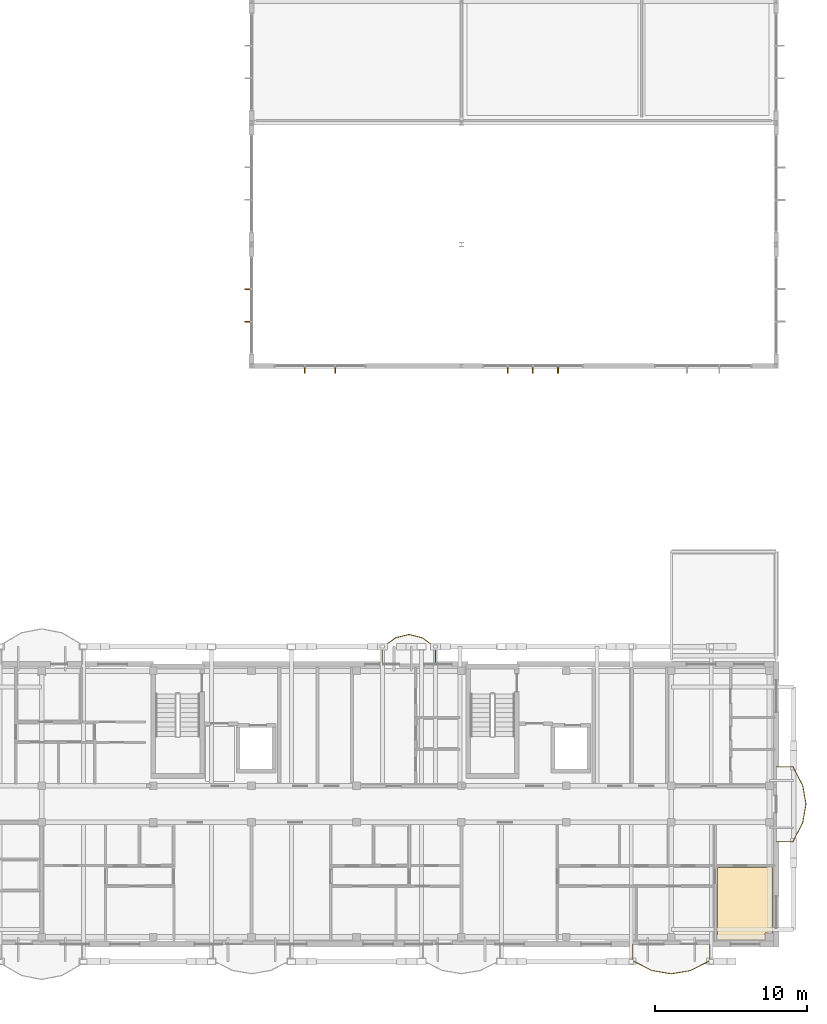
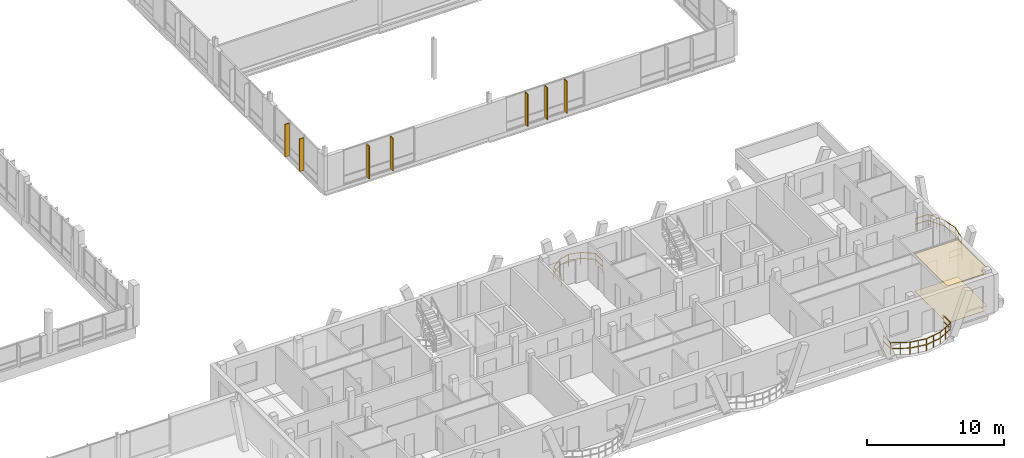
# One storey, part 186 of 189: 7 shading devices, 3 railings, 2 coverings.
"""IFC4 building model written with IfcOpenShell, lengths in metres."""

from ifc_helpers import new_model, si_unit, direction, frame, origin, origin_2d, place, context, subcontext, project, spatial, polyline, rectangle, outline, extrude, material, layer, layer_set, type_object, element, save


model = new_model("IFC4")

# Units and contexts
model_context = context("Model", 3, precision=1e-05, world=origin(), true_north=direction((0.0, 1.0)))
body_context = subcontext(model_context, "Body", "Model", "MODEL_VIEW")
ifc_project = project(units=[si_unit("LENGTHUNIT", "METRE"), si_unit("AREAUNIT", "SQUARE_METRE"), si_unit("VOLUMEUNIT", "CUBIC_METRE"), si_unit("PLANEANGLEUNIT", "RADIAN"), si_unit("MASSUNIT", "GRAM", prefix="KILO")], contexts=[model_context])

# Site, building, storey
site_placement = place(None, origin())
site = spatial("IfcSite", under=ifc_project, at=site_placement, CompositionType="ELEMENT")
building_placement = place(site_placement, origin())
building = spatial("IfcBuilding", under=site, at=building_placement, Name="Zavelmont Quarter", CompositionType="ELEMENT")
storey_placement = place(building_placement, frame((0.0, 0.0, 4.39990234375)))
storey = spatial("IfcBuildingStorey", under=building, at=storey_placement, Name="L01", CompositionType="ELEMENT", Elevation=4.39990234375)

# Coverings
ifc_material_1 = material(Name="Perforated acoustic gypsum board")
ifc_layer_1 = layer(ifc_material_1, 0.02490234375)
ifc_layer_set_1 = layer_set([ifc_layer_1], Name="Perforated acoustic gypsum board")
covering_type_1 = type_object("IfcCoveringType", Name="CV-CL01", PredefinedType="CEILING", material=ifc_layer_set_1)
covering_1_placement = place(storey_placement, frame((0.0, 0.0, 3.30517578125)))
element("IfcCovering", 1, at=covering_1_placement, inside=storey, type_object=covering_type_1, Name="L01 Master Bedroom acoustic ceiling", PredefinedType="CEILING", context=body_context, shape_type="SweptSolid", body=[
    extrude(outline(polyline([(164.1298828125, 5.02001953125), (167.77001953125, 5.02001953125), (167.77001953125, 0.72998046875), (167.27001953125, 0.72998046875), (167.27001953125, 0.280029296875), (164.1298828125, 0.280029296875), (164.1298828125, 5.02001953125)])), origin(), (0.0, 0.0, 1.0), 0.02490234375),
])
ifc_material_2 = material(Name="Engineered European oak parquet")
ifc_layer_2 = layer(ifc_material_2, 0.02197265625)
ifc_layer_set_2 = layer_set([ifc_layer_2], Name="Engineered European oak parquet")
covering_type_2 = type_object("IfcCoveringType", Name="CV-FL01", PredefinedType="FLOORING", material=ifc_layer_set_2)
covering_2_placement = place(storey_placement, origin())
element("IfcCovering", 2, at=covering_2_placement, inside=storey, type_object=covering_type_2, Name="L01 Master Bedroom floor finish", PredefinedType="FLOORING", context=body_context, shape_type="SweptSolid", body=[
    extrude(outline(polyline([(164.1298828125, 5.02001953125), (167.77001953125, 5.02001953125), (167.77001953125, 0.72998046875), (167.27001953125, 0.72998046875), (167.27001953125, 0.280029296875), (164.1298828125, 0.280029296875), (164.1298828125, 5.02001953125)])), origin(), (0.0, 0.0, 1.0), 0.022216796875),
])

# Railings
ifc_material_3 = material(Name="Powder-coated steel and tempered double safety glass", Category="steel")
railing_type = type_object("IfcRailingType", Name="RL-BAL1", PredefinedType="BALUSTRADE", material=ifc_material_3)
railing_1_placement = place(storey_placement, frame((158.5673828125, -0.02001953125, 0.0)))
element("IfcRailing", 3, at=railing_1_placement, inside=storey, type_object=railing_type, Name="L01 Block D curved balcony guard RL-BAL1", PredefinedType="BALUSTRADE", context=body_context, shape_type="SweptSolid", body=[
    extrude(rectangle(XDim=0.048095703125, YDim=0.048095703125, at=origin_2d()), frame((0.0, 0.0, 1.076171875), z_axis=(0.0, -1.0, 0.0), x_axis=(1.0, 0.0, 0.0)), (0.0, 0.0, 1.0), 1.080322265625),
    extrude(rectangle(XDim=0.048095703125, YDim=0.048095703125, at=origin_2d()), frame((0.0, 0.0, 0.550048828125), z_axis=(0.0, -1.0, 0.0), x_axis=(1.0, 0.0, 0.0)), (0.0, 0.0, 1.0), 1.080322265625),
    extrude(rectangle(XDim=0.048095703125, YDim=0.048095703125, at=origin_2d()), frame((0.0, -1.080322265625, 1.076171875), z_axis=(0.890096003813, -0.455773083888, 0.0), x_axis=(0.455773083888, 0.890096003813, 0.0)), (0.0, 0.0, 1.0), 1.422607421875),
    extrude(rectangle(XDim=0.048095703125, YDim=0.048095703125, at=origin_2d()), frame((0.0, -1.080322265625, 0.550048828125), z_axis=(0.890096003813, -0.455773083888, 0.0), x_axis=(0.455773083888, 0.890096003813, 0.0)), (0.0, 0.0, 1.0), 1.422607421875),
    extrude(rectangle(XDim=0.048095703125, YDim=0.048095703125, at=origin_2d()), frame((1.266357421875, -1.728759765625, 1.076171875), z_axis=(0.985723350609, -0.168373026535, 0.0), x_axis=(0.168373026535, 0.985723350609, 0.0)), (0.0, 0.0, 1.0), 1.28466796875),
    extrude(rectangle(XDim=0.048095703125, YDim=0.048095703125, at=origin_2d()), frame((1.266357421875, -1.728759765625, 0.550048828125), z_axis=(0.985723350609, -0.168373026535, 0.0), x_axis=(0.168373026535, 0.985723350609, 0.0)), (0.0, 0.0, 1.0), 1.28466796875),
    extrude(rectangle(XDim=0.048095703125, YDim=0.048095703125, at=origin_2d()), frame((2.53271484375, -1.945068359375, 1.076171875), z_axis=(0.985717961637, 0.168404572698, 0.0), x_axis=(-0.168404572698, 0.985717961637, 0.0)), (0.0, 0.0, 1.0), 1.284423828125),
    extrude(rectangle(XDim=0.048095703125, YDim=0.048095703125, at=origin_2d()), frame((2.53271484375, -1.945068359375, 0.550048828125), z_axis=(0.985717961637, 0.168404572698, 0.0), x_axis=(-0.168404572698, 0.985717961637, 0.0)), (0.0, 0.0, 1.0), 1.284423828125),
    extrude(rectangle(XDim=0.048095703125, YDim=0.048095703125, at=origin_2d()), frame((3.798828125, -1.728759765625, 1.076171875), z_axis=(0.890096003813, 0.455773083888, 0.0), x_axis=(-0.455773083888, 0.890096003813, 0.0)), (0.0, 0.0, 1.0), 1.422607421875),
    extrude(rectangle(XDim=0.048095703125, YDim=0.048095703125, at=origin_2d()), frame((3.798828125, -1.728759765625, 0.550048828125), z_axis=(0.890096003813, 0.455773083888, 0.0), x_axis=(-0.455773083888, 0.890096003813, 0.0)), (0.0, 0.0, 1.0), 1.422607421875),
    extrude(rectangle(XDim=0.048095703125, YDim=0.048095703125, at=origin_2d()), frame((5.065185546875, -1.080322265625, 1.076171875), z_axis=(0.0, 1.0, 0.0), x_axis=(-1.0, 0.0, 0.0)), (0.0, 0.0, 1.0), 1.080322265625),
    extrude(rectangle(XDim=0.048095703125, YDim=0.048095703125, at=origin_2d()), frame((5.065185546875, -1.080322265625, 0.550048828125), z_axis=(0.0, 1.0, 0.0), x_axis=(-1.0, 0.0, 0.0)), (0.0, 0.0, 1.0), 1.080322265625),
    extrude(rectangle(XDim=0.0419921875, YDim=0.0419921875, at=origin_2d()), origin(), (0.0, 0.0, 1.0), 1.052001953125),
    extrude(rectangle(XDim=0.0419921875, YDim=0.0419921875, at=origin_2d()), frame((0.0, -1.080322265625, 0.0)), (0.0, 0.0, 1.0), 1.052001953125),
    extrude(rectangle(XDim=0.0419921875, YDim=0.0419921875, at=origin_2d()), frame((0.63330078125, -1.404541015625, 0.0)), (0.0, 0.0, 1.0), 1.052001953125),
    extrude(rectangle(XDim=0.0419921875, YDim=0.0419921875, at=origin_2d()), frame((1.266357421875, -1.728759765625, 0.0)), (0.0, 0.0, 1.0), 1.052001953125),
    extrude(rectangle(XDim=0.0419921875, YDim=0.0419921875, at=origin_2d()), frame((1.8994140625, -1.8369140625, 0.0)), (0.0, 0.0, 1.0), 1.052001953125),
    extrude(rectangle(XDim=0.0419921875, YDim=0.0419921875, at=origin_2d()), frame((2.53271484375, -1.945068359375, 0.0)), (0.0, 0.0, 1.0), 1.052001953125),
    extrude(rectangle(XDim=0.0419921875, YDim=0.0419921875, at=origin_2d()), frame((3.165771484375, -1.8369140625, 0.0)), (0.0, 0.0, 1.0), 1.052001953125),
    extrude(rectangle(XDim=0.0419921875, YDim=0.0419921875, at=origin_2d()), frame((3.798828125, -1.728759765625, 0.0)), (0.0, 0.0, 1.0), 1.052001953125),
    extrude(rectangle(XDim=0.0419921875, YDim=0.0419921875, at=origin_2d()), frame((4.43212890625, -1.404541015625, 0.0)), (0.0, 0.0, 1.0), 1.052001953125),
    extrude(rectangle(XDim=0.0419921875, YDim=0.0419921875, at=origin_2d()), frame((5.065185546875, -1.080322265625, 0.0)), (0.0, 0.0, 1.0), 1.052001953125),
    extrude(rectangle(XDim=0.0419921875, YDim=0.0419921875, at=origin_2d()), frame((5.065185546875, 0.0, 0.0)), (0.0, 0.0, 1.0), 1.052001953125),
])
railing_2_placement = place(storey_placement, frame((168.02001953125, 6.732666015625, 0.0)))
element("IfcRailing", 4, at=railing_2_placement, inside=storey, type_object=railing_type, Name="L01 Block D curved balcony guard RL-BAL1", PredefinedType="BALUSTRADE", context=body_context, shape_type="SweptSolid", body=[
    extrude(rectangle(XDim=0.048095703125, YDim=0.048095703125, at=origin_2d()), frame((0.0, 0.0, 1.076171875), z_axis=(1.0, 0.0, 0.0), x_axis=(0.0, 1.0, 0.0)), (0.0, 0.0, 1.0), 1.080322265625),
    extrude(rectangle(XDim=0.048095703125, YDim=0.048095703125, at=origin_2d()), frame((0.0, 0.0, 0.550048828125), z_axis=(1.0, 0.0, 0.0), x_axis=(0.0, 1.0, 0.0)), (0.0, 0.0, 1.0), 1.080322265625),
    extrude(rectangle(XDim=0.048095703125, YDim=0.048095703125, at=origin_2d()), frame((1.080322265625, 0.0, 1.076171875), z_axis=(0.465269853733, 0.885168889652, 0.0), x_axis=(-0.885168889652, 0.465269853733, 0.0)), (0.0, 0.0, 1.0), 1.393798828125),
    extrude(rectangle(XDim=0.048095703125, YDim=0.048095703125, at=origin_2d()), frame((1.080322265625, 0.0, 0.550048828125), z_axis=(0.465269853733, 0.885168889652, 0.0), x_axis=(-0.885168889652, 0.465269853733, 0.0)), (0.0, 0.0, 1.0), 1.393798828125),
    extrude(rectangle(XDim=0.048095703125, YDim=0.048095703125, at=origin_2d()), frame((1.728759765625, 1.233642578125, 1.076171875), z_axis=(0.172706582118, 0.984973317655, 0.0), x_axis=(-0.984973317655, 0.172706582118, 0.0)), (0.0, 0.0, 1.0), 1.25244140625),
    extrude(rectangle(XDim=0.048095703125, YDim=0.048095703125, at=origin_2d()), frame((1.728759765625, 1.233642578125, 0.550048828125), z_axis=(0.172706582118, 0.984973317655, 0.0), x_axis=(-0.984973317655, 0.172706582118, 0.0)), (0.0, 0.0, 1.0), 1.25244140625),
    extrude(rectangle(XDim=0.048095703125, YDim=0.048095703125, at=origin_2d()), frame((1.945068359375, 2.46728515625, 1.076171875), z_axis=(-0.172706582118, 0.984973317655, 0.0), x_axis=(-0.984973317655, -0.172706582118, 0.0)), (0.0, 0.0, 1.0), 1.25244140625),
    extrude(rectangle(XDim=0.048095703125, YDim=0.048095703125, at=origin_2d()), frame((1.945068359375, 2.46728515625, 0.550048828125), z_axis=(-0.172706582118, 0.984973317655, 0.0), x_axis=(-0.984973317655, -0.172706582118, 0.0)), (0.0, 0.0, 1.0), 1.25244140625),
    extrude(rectangle(XDim=0.048095703125, YDim=0.048095703125, at=origin_2d()), frame((1.728759765625, 3.700927734375, 1.076171875), z_axis=(-0.465269853733, 0.885168889652, 0.0), x_axis=(-0.885168889652, -0.465269853733, 0.0)), (0.0, 0.0, 1.0), 1.393798828125),
    extrude(rectangle(XDim=0.048095703125, YDim=0.048095703125, at=origin_2d()), frame((1.728759765625, 3.700927734375, 0.550048828125), z_axis=(-0.465269853733, 0.885168889652, 0.0), x_axis=(-0.885168889652, -0.465269853733, 0.0)), (0.0, 0.0, 1.0), 1.393798828125),
    extrude(rectangle(XDim=0.048095703125, YDim=0.048095703125, at=origin_2d()), frame((1.080322265625, 4.9345703125, 1.076171875), z_axis=(-1.0, 0.0, 0.0), x_axis=(0.0, -1.0, 0.0)), (0.0, 0.0, 1.0), 1.080322265625),
    extrude(rectangle(XDim=0.048095703125, YDim=0.048095703125, at=origin_2d()), frame((1.080322265625, 4.9345703125, 0.550048828125), z_axis=(-1.0, 0.0, 0.0), x_axis=(0.0, -1.0, 0.0)), (0.0, 0.0, 1.0), 1.080322265625),
    extrude(rectangle(XDim=0.0419921875, YDim=0.0419921875, at=origin_2d()), origin(), (0.0, 0.0, 1.0), 1.052001953125),
    extrude(rectangle(XDim=0.0419921875, YDim=0.0419921875, at=origin_2d()), frame((1.080322265625, 0.0, 0.0)), (0.0, 0.0, 1.0), 1.052001953125),
    extrude(rectangle(XDim=0.0419921875, YDim=0.0419921875, at=origin_2d()), frame((1.404541015625, 0.61669921875, 0.0)), (0.0, 0.0, 1.0), 1.052001953125),
    extrude(rectangle(XDim=0.0419921875, YDim=0.0419921875, at=origin_2d()), frame((1.728759765625, 1.233642578125, 0.0)), (0.0, 0.0, 1.0), 1.052001953125),
    extrude(rectangle(XDim=0.0419921875, YDim=0.0419921875, at=origin_2d()), frame((1.8369140625, 1.8505859375, 0.0)), (0.0, 0.0, 1.0), 1.052001953125),
    extrude(rectangle(XDim=0.0419921875, YDim=0.0419921875, at=origin_2d()), frame((1.945068359375, 2.46728515625, 0.0)), (0.0, 0.0, 1.0), 1.052001953125),
    extrude(rectangle(XDim=0.0419921875, YDim=0.0419921875, at=origin_2d()), frame((1.8369140625, 3.083984375, 0.0)), (0.0, 0.0, 1.0), 1.052001953125),
    extrude(rectangle(XDim=0.0419921875, YDim=0.0419921875, at=origin_2d()), frame((1.728759765625, 3.700927734375, 0.0)), (0.0, 0.0, 1.0), 1.052001953125),
    extrude(rectangle(XDim=0.0419921875, YDim=0.0419921875, at=origin_2d()), frame((1.404541015625, 4.31787109375, 0.0)), (0.0, 0.0, 1.0), 1.052001953125),
    extrude(rectangle(XDim=0.0419921875, YDim=0.0419921875, at=origin_2d()), frame((1.080322265625, 4.9345703125, 0.0)), (0.0, 0.0, 1.0), 1.052001953125),
    extrude(rectangle(XDim=0.0419921875, YDim=0.0419921875, at=origin_2d()), frame((0.0, 4.9345703125, 0.0)), (0.0, 0.0, 1.0), 1.052001953125),
])
railing_3_placement = place(storey_placement, frame((145.597412109375, 18.419921875, 0.0)))
element("IfcRailing", 5, at=railing_3_placement, inside=storey, type_object=railing_type, Name="L01 Block D curved balcony guard RL-BAL1", PredefinedType="BALUSTRADE", context=body_context, shape_type="SweptSolid", body=[
    extrude(rectangle(XDim=0.048095703125, YDim=0.048095703125, at=origin_2d()), frame((0.0, 0.0, 1.076171875), z_axis=(0.0, 1.0, 0.0), x_axis=(-1.0, 0.0, 0.0)), (0.0, 0.0, 1.0), 1.08056640625),
    extrude(rectangle(XDim=0.048095703125, YDim=0.048095703125, at=origin_2d()), frame((0.0, 0.0, 0.550048828125), z_axis=(0.0, 1.0, 0.0), x_axis=(-1.0, 0.0, 0.0)), (0.0, 0.0, 1.0), 1.08056640625),
    extrude(rectangle(XDim=0.048095703125, YDim=0.048095703125, at=origin_2d()), frame((0.0, 1.08056640625, 1.076171875), z_axis=(-0.803139593612, 0.595790897189, 0.0), x_axis=(-0.595790897189, -0.803139593612, 0.0)), (0.0, 0.0, 1.0), 1.087890625),
    extrude(rectangle(XDim=0.048095703125, YDim=0.048095703125, at=origin_2d()), frame((0.0, 1.08056640625, 0.550048828125), z_axis=(-0.803139593612, 0.595790897189, 0.0), x_axis=(-0.595790897189, -0.803139593612, 0.0)), (0.0, 0.0, 1.0), 1.087890625),
    extrude(rectangle(XDim=0.048095703125, YDim=0.048095703125, at=origin_2d()), frame((-0.873779296875, 1.728759765625, 1.076171875), z_axis=(-0.970682656413, 0.240364682387, 0.0), x_axis=(-0.240364682387, -0.970682656413, 0.0)), (0.0, 0.0, 1.0), 0.89990234375),
    extrude(rectangle(XDim=0.048095703125, YDim=0.048095703125, at=origin_2d()), frame((-0.873779296875, 1.728759765625, 0.550048828125), z_axis=(-0.970682656413, 0.240364682387, 0.0), x_axis=(-0.240364682387, -0.970682656413, 0.0)), (0.0, 0.0, 1.0), 0.89990234375),
    extrude(rectangle(XDim=0.048095703125, YDim=0.048095703125, at=origin_2d()), frame((-1.747314453125, 1.945068359375, 1.076171875), z_axis=(-0.970698324166, -0.240301401288, 0.0), x_axis=(0.240301401288, -0.970698324166, 0.0)), (0.0, 0.0, 1.0), 0.900146484375),
    extrude(rectangle(XDim=0.048095703125, YDim=0.048095703125, at=origin_2d()), frame((-1.747314453125, 1.945068359375, 0.550048828125), z_axis=(-0.970698324166, -0.240301401288, 0.0), x_axis=(0.240301401288, -0.970698324166, 0.0)), (0.0, 0.0, 1.0), 0.900146484375),
    extrude(rectangle(XDim=0.048095703125, YDim=0.048095703125, at=origin_2d()), frame((-2.62109375, 1.728759765625, 1.076171875), z_axis=(-0.803139593612, -0.595790897189, 0.0), x_axis=(0.595790897189, -0.803139593612, 0.0)), (0.0, 0.0, 1.0), 1.087890625),
    extrude(rectangle(XDim=0.048095703125, YDim=0.048095703125, at=origin_2d()), frame((-2.62109375, 1.728759765625, 0.550048828125), z_axis=(-0.803139593612, -0.595790897189, 0.0), x_axis=(0.595790897189, -0.803139593612, 0.0)), (0.0, 0.0, 1.0), 1.087890625),
    extrude(rectangle(XDim=0.048095703125, YDim=0.048095703125, at=origin_2d()), frame((-3.494873046875, 1.08056640625, 1.076171875), z_axis=(0.0, -1.0, 0.0), x_axis=(1.0, 0.0, 0.0)), (0.0, 0.0, 1.0), 1.08056640625),
    extrude(rectangle(XDim=0.048095703125, YDim=0.048095703125, at=origin_2d()), frame((-3.494873046875, 1.08056640625, 0.550048828125), z_axis=(0.0, -1.0, 0.0), x_axis=(1.0, 0.0, 0.0)), (0.0, 0.0, 1.0), 1.08056640625),
    extrude(rectangle(XDim=0.0419921875, YDim=0.0419921875, at=origin_2d()), origin(), (0.0, 0.0, 1.0), 1.052001953125),
    extrude(rectangle(XDim=0.0419921875, YDim=0.0419921875, at=origin_2d()), frame((0.0, 1.08056640625, 0.0)), (0.0, 0.0, 1.0), 1.052001953125),
    extrude(rectangle(XDim=0.0419921875, YDim=0.0419921875, at=origin_2d()), frame((-0.873779296875, 1.728759765625, 0.0)), (0.0, 0.0, 1.0), 1.052001953125),
    extrude(rectangle(XDim=0.0419921875, YDim=0.0419921875, at=origin_2d()), frame((-1.747314453125, 1.945068359375, 0.0)), (0.0, 0.0, 1.0), 1.052001953125),
    extrude(rectangle(XDim=0.0419921875, YDim=0.0419921875, at=origin_2d()), frame((-2.62109375, 1.728759765625, 0.0)), (0.0, 0.0, 1.0), 1.052001953125),
    extrude(rectangle(XDim=0.0419921875, YDim=0.0419921875, at=origin_2d()), frame((-3.494873046875, 1.08056640625, 0.0)), (0.0, 0.0, 1.0), 1.052001953125),
    extrude(rectangle(XDim=0.0419921875, YDim=0.0419921875, at=origin_2d()), frame((-3.494873046875, 0.0, 0.0)), (0.0, 0.0, 1.0), 1.052001953125),
])

# Shading devices
ifc_material_4 = material(Name="Anodised aluminium EN AW-6063-T6", Category="aluminium")
shading_device_type = type_object("IfcShadingDeviceType", Name="SD05", PredefinedType="JALOUSIE", material=ifc_material_4)
for number, where, z_axis, x_axis, name in (
    (6, (133.239990234375, 40.933349609375, -0.229736328125), (0.0, 0.0, 1.0), (0.0, 1.0, 0.0), "L01 solar brise-soleil fin SD05"),
    (7, (133.239990234375, 43.066650390625, -0.229736328125), (0.0, 0.0, 1.0), (0.0, 1.0, 0.0), "L01 solar brise-soleil fin SD05"),
    (8, (137.0, 37.739990234375, -0.229736328125), (0.0, 0.0, 1.0), (1.0, 0.0, 0.0), "L01 solar brise-soleil fin SD05"),
    (9, (139.0, 37.739990234375, -0.229736328125), (0.0, 0.0, 1.0), (1.0, 0.0, 0.0), "L01 solar brise-soleil fin SD05"),
):
    element("IfcShadingDevice", number, at=place(storey_placement, frame(where, z_axis=z_axis, x_axis=x_axis)), inside=storey, type_object=shading_device_type, Name=name, PredefinedType="JALOUSIE", context=body_context, shape_type="SweptSolid", body=[
        extrude(rectangle(XDim=0.070068359375, YDim=0.3798828125, at=origin_2d()), origin(), (0.0, 0.0, 1.0), 2.89990234375),
    ])
for number, where, z_axis, x_axis, name in (
    (10, (150.35009765625, 37.739990234375, -0.22998046875), (0.0, 0.0, 1.0), (1.0, 0.0, 0.0), "L01 solar brise-soleil fin SD05"),
    (11, (152.0, 37.739990234375, -0.22998046875), (0.0, 0.0, 1.0), (1.0, 0.0, 0.0), "L01 solar brise-soleil fin SD05"),
    (12, (153.64990234375, 37.739990234375, -0.22998046875), (0.0, 0.0, 1.0), (1.0, 0.0, 0.0), "L01 solar brise-soleil fin SD05"),
):
    element("IfcShadingDevice", number, at=place(storey_placement, frame(where, z_axis=z_axis, x_axis=x_axis)), inside=storey, type_object=shading_device_type, Name=name, PredefinedType="JALOUSIE", context=body_context, shape_type="SweptSolid", body=[
        extrude(rectangle(XDim=0.070068359375, YDim=0.3798828125, at=origin_2d()), origin(), (0.0, 0.0, 1.0), 2.8701171875),
    ])

save(model, "model.ifc")
